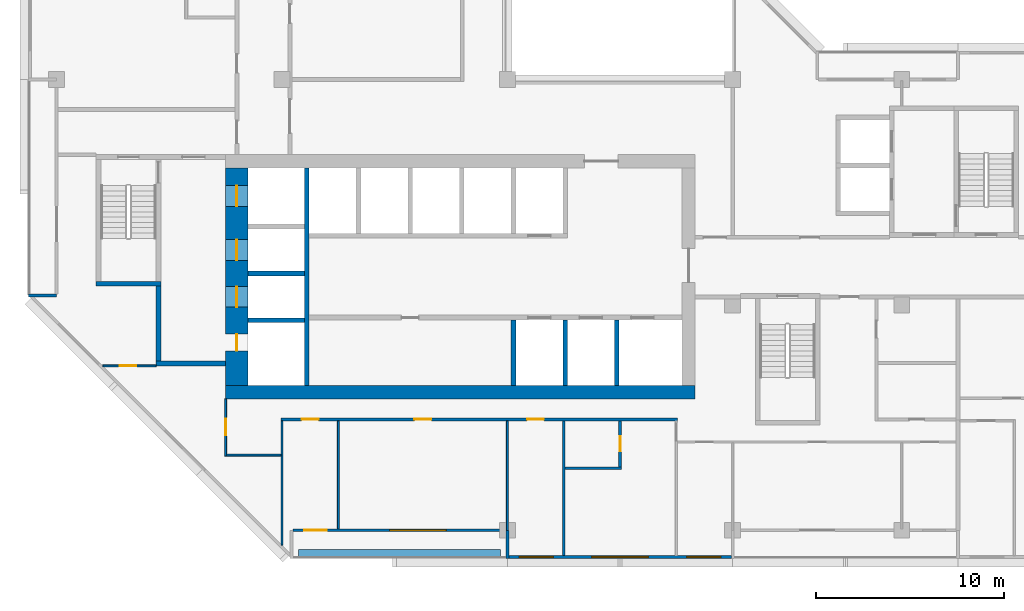
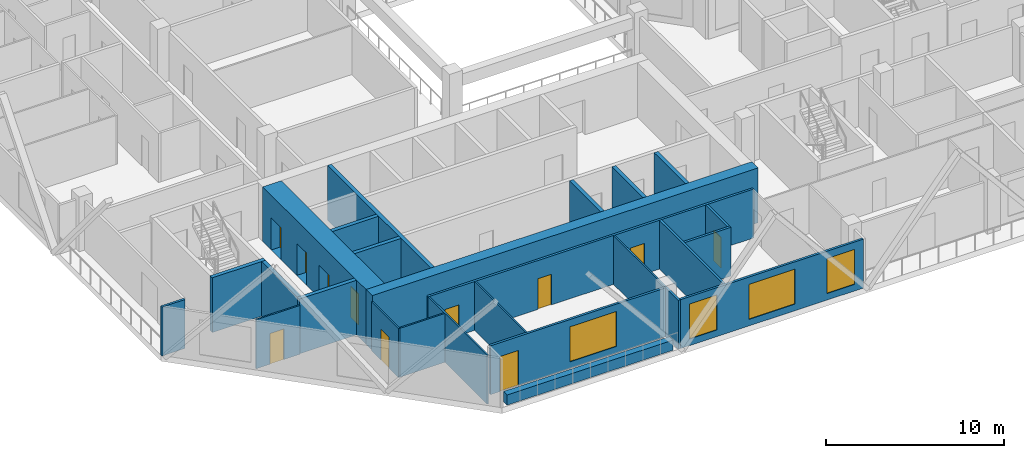
# One storey, part 4 of 15: 26 walls, 11 doors, 4 windows, 15 openings.
"""IFC4 building model written with IfcOpenShell, lengths in metres."""

import ifcopenshell
import ifcopenshell.guid

model = None  # the IFC model being written
_history = None  # IfcOwnerHistory: only IFC2X3 demands one
_inside = {}  # id of a spatial element -> (the spatial element, [elements in it])
_under = {}  # id of a project, library or spatial element -> (it, [spatial elements below it])
_declared = {}  # id of a project -> (the project, [libraries it declares])
_typed = {}  # id of a type object -> (the type object, [elements of that type])
_made_of = {}  # id of a material, layer set ... -> (it, [elements and type objects made of it])


def new_model(schema):
    """Start an empty IFC model of exactly this schema.

    Asked for "IFC4X3", IfcOpenShell would pick the latest addendum, in which some entities
    have other attributes; the version numbers below select the first issue.
    IFC2X3 requires an IfcOwnerHistory on every rooted entity: one is made here for all.
    """
    global model, _history
    if schema == "IFC4X3":
        model = ifcopenshell.file(schema_version=(4, 3, 0, 0))
    else:
        model = ifcopenshell.file(schema=schema)
    _inside.clear()
    _under.clear()
    _declared.clear()
    _typed.clear()
    _made_of.clear()
    _history = None
    if model.schema == "IFC2X3":
        org = make("IfcOrganization", Name="unknown")
        user = make(
            "IfcPersonAndOrganization",
            ThePerson=make("IfcPerson", FamilyName="unknown"),
            TheOrganization=org,
        )
        app = make(
            "IfcApplication",
            ApplicationDeveloper=org,
            Version="unknown",
            ApplicationFullName="unknown",
            ApplicationIdentifier="unknown",
        )
        _history = make(
            "IfcOwnerHistory",
            OwningUser=user,
            OwningApplication=app,
            ChangeAction="ADDED",
            CreationDate=0,
        )
    return model


def make(cls, **values):
    """One entity of the class cls with the attributes given. An attribute that is None is left unset."""
    return model.create_entity(
        cls, **{name: value for name, value in values.items() if value is not None}
    )


def rooted(cls, **values):
    """An entity with a GlobalId (a new one), such as an element, a storey or a relation."""
    return make(cls, GlobalId=ifcopenshell.guid.new(), OwnerHistory=_history, **values)


def si_unit(unit_type, name, prefix=None):
    """IfcSIUnit, for example si_unit("LENGTHUNIT", "METRE", prefix="MILLI")."""
    return make("IfcSIUnit", UnitType=unit_type, Prefix=prefix, Name=name)


def assignment(units):
    """IfcUnitAssignment: the units of a project."""
    return None if units is None else make("IfcUnitAssignment", Units=units)


def point(xyz):
    """IfcCartesianPoint."""
    return None if xyz is None else make("IfcCartesianPoint", Coordinates=xyz)


def direction(xyz):
    """IfcDirection."""
    return None if xyz is None else make("IfcDirection", DirectionRatios=xyz)


def frame(location, z_axis=None, x_axis=None):
    """IfcAxis2Placement3D, a coordinate frame: its origin and axes. An axis left out is left unset."""
    return make(
        "IfcAxis2Placement3D",
        Location=point(location),
        Axis=direction(z_axis),
        RefDirection=direction(x_axis),
    )


def frame_2d(location, x_axis=None):
    """IfcAxis2Placement2D, a coordinate frame in the plane: its origin and x axis."""
    return make(
        "IfcAxis2Placement2D", Location=point(location), RefDirection=direction(x_axis)
    )


def origin():
    """The frame at (0, 0, 0) with its axes left unset."""
    return frame((0.0, 0.0, 0.0))


def place(relative_to, where):
    """IfcLocalPlacement: puts the frame where relative to a parent placement (None: the world)."""
    return make(
        "IfcLocalPlacement", PlacementRelTo=relative_to, RelativePlacement=where
    )


def context(
    kind, dimensions, precision=None, world=None, true_north=None, identifier=None
):
    """IfcGeometricRepresentationContext, for example the 3D "Model" context."""
    return make(
        "IfcGeometricRepresentationContext",
        ContextIdentifier=identifier,
        ContextType=kind,
        CoordinateSpaceDimension=dimensions,
        Precision=precision,
        WorldCoordinateSystem=world,
        TrueNorth=true_north,
    )


def subcontext(parent, identifier, kind, view, scale=None):
    """IfcGeometricRepresentationSubContext, for example "Body" below "Model"."""
    return make(
        "IfcGeometricRepresentationSubContext",
        ContextIdentifier=identifier,
        ContextType=kind,
        ParentContext=parent,
        TargetScale=scale,
        TargetView=view,
    )


def project(units=None, contexts=None):
    """IfcProject with its units and contexts."""
    return rooted(
        "IfcProject",
        Name="project",
        RepresentationContexts=contexts,
        UnitsInContext=assignment(units),
    )


def spatial(cls, under=None, at=None, **own):
    """A site, building, storey or space (cls), placed at a placement, below another one or the project."""
    s = rooted(cls, ObjectPlacement=at, **own)
    if under is not None:
        _under.setdefault(under.id(), (under, []))[1].append(s)
    return s


def profile(cls, at=None, kind="AREA", **sizes):
    """A parametric profile (cls). Its sizes go by their IFC names, for example OverallWidth=200.0."""
    return make(cls, ProfileType=kind, Position=at, **sizes)


def rectangle(**sizes):
    """IfcRectangleProfileDef."""
    return profile("IfcRectangleProfileDef", **sizes)


def extrude(swept, where, along, depth):
    """IfcExtrudedAreaSolid: the profile swept, set in the frame where, extruded along a direction by depth."""
    return make(
        "IfcExtrudedAreaSolid",
        SweptArea=swept,
        Position=where,
        ExtrudedDirection=direction(along),
        Depth=depth,
    )


def shape(context_of_items, identifier, shape_type, items):
    """IfcShapeRepresentation: the items that make up one representation, for example the "Body"."""
    return make(
        "IfcShapeRepresentation",
        ContextOfItems=context_of_items,
        RepresentationIdentifier=identifier,
        RepresentationType=shape_type,
        Items=items,
    )


def material(Name=None, Category=None):
    """IfcMaterial."""
    return make("IfcMaterial", Name=Name, Category=Category)


def layer(
    of_material, thickness, ventilated=None, Name=None, Category=None, Priority=None
):
    """IfcMaterialLayer: one layer of a wall or slab, of a material (None: an air gap)."""
    return make(
        "IfcMaterialLayer",
        Material=of_material,
        LayerThickness=thickness,
        IsVentilated=ventilated,
        Name=Name,
        Category=Category,
        Priority=Priority,
    )


def layer_set(layers, Name=None):
    """IfcMaterialLayerSet."""
    return make("IfcMaterialLayerSet", MaterialLayers=layers, LayerSetName=Name)


def made_of(thing, what):
    """Note that an element or type object is made of a material, layer set ...; save() writes the relation."""
    if what is not None:
        _made_of.setdefault(what.id(), (what, []))[1].append(thing)
    return thing


def type_object(cls, material=None, **own):
    """A type object (cls), such as IfcWallType, which elements share."""
    return made_of(rooted(cls, **own), material)


def element(
    cls,
    number,
    at=None,
    inside=None,
    cuts=None,
    type_object=None,
    material=None,
    context=None,
    identifier="Body",
    shape_type=None,
    held_by="IfcProductDefinitionShape",
    body=None,
    shapes=None,
    **own,
):
    """One element of the class cls, such as IfcWall. Its Tag is "e" and its number.

    at: its placement. inside: the storey or other place that contains it. cuts: it is an
    opening in that element (IfcRelVoidsElement). A single representation is given by context,
    identifier, shape_type and body (its items); several are given by shapes. held_by: the class
    of the entity that holds the representations. save() writes the other relations.
    """
    e = rooted(cls, Tag="e%d" % number, ObjectPlacement=at, **own)
    if body is not None:
        shapes = [shape(context, identifier, shape_type, body)]
    if shapes is not None:
        e.Representation = make(held_by, Representations=shapes)
    if inside is not None:
        _inside.setdefault(inside.id(), (inside, []))[1].append(e)
    if cuts is not None:
        rooted(
            "IfcRelVoidsElement", RelatingBuildingElement=cuts, RelatedOpeningElement=e
        )
    if type_object is not None:
        _typed.setdefault(type_object.id(), (type_object, []))[1].append(e)
    return made_of(e, material)


def fill(opening, filler):
    """IfcRelFillsElement: the door or window that sits in an opening."""
    return rooted(
        "IfcRelFillsElement",
        RelatingOpeningElement=opening,
        RelatedBuildingElement=filler,
    )


def aggregate(whole, parts):
    """IfcRelAggregates: a whole, such as a stair, and the parts it consists of."""
    return rooted("IfcRelAggregates", RelatingObject=whole, RelatedObjects=parts)


def save(model, path):
    """Write the relations noted so far, then the file.

    IfcRelAggregates (storeys below a building ...), IfcRelContainedInSpatialStructure (elements
    in a storey), IfcRelDefinesByType, IfcRelAssociatesMaterial and IfcRelDeclares: one each for
    every whole, place, type object, material and project.
    """
    for whole, parts in _under.values():
        aggregate(whole, parts)
    for where, things in _inside.values():
        rooted(
            "IfcRelContainedInSpatialStructure",
            RelatedElements=things,
            RelatingStructure=where,
        )
    for kind, things in _typed.values():
        rooted("IfcRelDefinesByType", RelatedObjects=things, RelatingType=kind)
    for what, things in _made_of.values():
        rooted("IfcRelAssociatesMaterial", RelatedObjects=things, RelatingMaterial=what)
    for by, libraries in _declared.values():
        rooted("IfcRelDeclares", RelatingContext=by, RelatedDefinitions=libraries)
    model.write(path)


model = new_model("IFC4")

# Units and contexts
model_context = context("Model", 3, precision=1e-05, world=origin(), true_north=direction((0.0, 1.0)))
body_context = subcontext(model_context, "Body", "Model", "MODEL_VIEW")
ifc_project = project(units=[si_unit("LENGTHUNIT", "METRE"), si_unit("AREAUNIT", "SQUARE_METRE"), si_unit("VOLUMEUNIT", "CUBIC_METRE"), si_unit("PLANEANGLEUNIT", "RADIAN"), si_unit("MASSUNIT", "GRAM", prefix="KILO")], contexts=[model_context])

# Site, building, storey
site_placement = place(None, origin())
site = spatial("IfcSite", under=ifc_project, at=site_placement, CompositionType="ELEMENT")
building_placement = place(site_placement, origin())
building = spatial("IfcBuilding", under=site, at=building_placement, Name="Chenar Terraces", CompositionType="ELEMENT")
storey_placement = place(building_placement, frame((0.0, 0.0, 211.64990234375)))
storey = spatial("IfcBuildingStorey", under=building, at=storey_placement, Name="L49", CompositionType="ELEMENT", Elevation=211.64990234375)

# Wall, openings, doors
ifc_material_1 = material(Name="Concrete C60/75", Category="concrete")
ifc_layer_1 = layer(ifc_material_1, 1.199951171875)
ifc_layer_set_1 = layer_set([ifc_layer_1], Name="Concrete C60/75")
wall_type_1 = type_object("IfcWallType", Name="Core wall 1200 Concrete C60/75", PredefinedType="SHEAR", material=ifc_layer_set_1)
wall_1_placement = place(storey_placement, frame((9.60009765625, 7.699951171875, 0.0), z_axis=(0.0, 0.0, 1.0), x_axis=(0.0, 1.0, 0.0)))
wall_1 = element("IfcWall", 1, at=wall_1_placement, inside=storey, type_object=wall_type_1, Name="Core wall W L49", PredefinedType="SHEAR", context=body_context, shape_type="SweptSolid", body=[
    extrude(rectangle(XDim=11.60009765625, YDim=1.199951171875, at=frame_2d((5.800048828125, 0.0))), origin(), (0.0, 0.0, 1.0), 3.75),
])
opening_1_placement = place(wall_1_placement, frame((4.175048828125, 0.0, 0.0)))
opening_1 = element("IfcOpeningElement", 2, at=opening_1_placement, cuts=wall_1, Name="Opening DL49-LD5", PredefinedType="OPENING", context=body_context, shape_type="SweptSolid", body=[
    extrude(rectangle(XDim=1.10009765625, YDim=2.199951171875, at=frame_2d((0.550048828125, 1.10009765625))), frame((0.0, 0.60986328125, 0.0), z_axis=(0.0, -1.0, 0.0), x_axis=(1.0, 0.0, 0.0)), (0.0, 0.0, 1.0), 1.219970703125),
])
opening_2_placement = place(wall_1_placement, frame((6.675048828125, 0.0, 0.0)))
opening_2 = element("IfcOpeningElement", 3, at=opening_2_placement, cuts=wall_1, Name="Opening DL49-LD6", PredefinedType="OPENING", context=body_context, shape_type="SweptSolid", body=[
    extrude(rectangle(XDim=1.10009765625, YDim=2.199951171875, at=frame_2d((0.550048828125, 1.10009765625))), frame((0.0, 0.60986328125, 0.0), z_axis=(0.0, -1.0, 0.0), x_axis=(1.0, 0.0, 0.0)), (0.0, 0.0, 1.0), 1.219970703125),
])
opening_3_placement = place(wall_1_placement, frame((9.550048828125, 0.0, 0.0)))
opening_3 = element("IfcOpeningElement", 4, at=opening_3_placement, cuts=wall_1, Name="Opening DL49-LD7", PredefinedType="OPENING", context=body_context, shape_type="SweptSolid", body=[
    extrude(rectangle(XDim=1.10009765625, YDim=2.199951171875, at=frame_2d((0.550048828125, 1.10009765625))), frame((0.0, 0.60986328125, 0.0), z_axis=(0.0, -1.0, 0.0), x_axis=(1.0, 0.0, 0.0)), (0.0, 0.0, 1.0), 1.219970703125),
])
opening_4_placement = place(wall_1_placement, frame((1.85009765625, 0.0, 0.0)))
opening_4 = element("IfcOpeningElement", 5, at=opening_4_placement, cuts=wall_1, Name="Opening DL49-C4", PredefinedType="OPENING", context=body_context, shape_type="SweptSolid", body=[
    extrude(rectangle(XDim=0.89990234375, YDim=2.10009765625, at=frame_2d((0.449951171875, 1.050048828125))), frame((0.0, 0.60986328125, 0.0), z_axis=(0.0, -1.0, 0.0), x_axis=(1.0, 0.0, 0.0)), (0.0, 0.0, 1.0), 1.219970703125),
])
ifc_material_2 = material(Name="Stainless steel", Category="steel")
door_type_1 = type_object("IfcDoorType", Name="Lift landing door 1100 x 2200 sliding", OperationType="DOUBLE_DOOR_SLIDING", PredefinedType="DOOR", material=ifc_material_2)
door_1_placement = place(opening_1_placement, origin())
door_1 = element("IfcDoor", 6, at=door_1_placement, inside=storey, type_object=door_type_1, Name="Landing door S1", OperationType="DOUBLE_DOOR_SLIDING", OverallHeight=2.199951171875, OverallWidth=1.10009765625, PredefinedType="DOOR", context=body_context, shape_type="SweptSolid", body=[
    extrude(rectangle(XDim=1.10009765625, YDim=2.199951171875, at=frame_2d((0.550048828125, 1.10009765625))), frame((0.0, 0.02490234375, 0.0), z_axis=(0.0, -1.0, 0.0), x_axis=(1.0, 0.0, 0.0)), (0.0, 0.0, 1.0), 0.050048828125),
])
fill(opening_1, door_1)
door_2_placement = place(opening_2_placement, origin())
door_2 = element("IfcDoor", 7, at=door_2_placement, inside=storey, type_object=door_type_1, Name="Landing door F1", OperationType="DOUBLE_DOOR_SLIDING", OverallHeight=2.199951171875, OverallWidth=1.10009765625, PredefinedType="DOOR", context=body_context, shape_type="SweptSolid", body=[
    extrude(rectangle(XDim=1.10009765625, YDim=2.199951171875, at=frame_2d((0.550048828125, 1.10009765625))), frame((0.0, 0.02490234375, 0.0), z_axis=(0.0, -1.0, 0.0), x_axis=(1.0, 0.0, 0.0)), (0.0, 0.0, 1.0), 0.050048828125),
])
fill(opening_2, door_2)
door_3_placement = place(opening_3_placement, origin())
door_3 = element("IfcDoor", 8, at=door_3_placement, inside=storey, type_object=door_type_1, Name="Landing door F2", OperationType="DOUBLE_DOOR_SLIDING", OverallHeight=2.199951171875, OverallWidth=1.10009765625, PredefinedType="DOOR", context=body_context, shape_type="SweptSolid", body=[
    extrude(rectangle(XDim=1.10009765625, YDim=2.199951171875, at=frame_2d((0.550048828125, 1.10009765625))), frame((0.0, 0.02490234375, 0.0), z_axis=(0.0, -1.0, 0.0), x_axis=(1.0, 0.0, 0.0)), (0.0, 0.0, 1.0), 0.050048828125),
])
fill(opening_3, door_3)
ifc_material_3 = material(Name="Steel-framed fire-resisting door leaf", Category="steel")
door_type_2 = type_object("IfcDoorType", Name="Riser fire door FD60 900 x 2100", OperationType="SINGLE_SWING_LEFT", PredefinedType="DOOR", material=ifc_material_3)
door_4_placement = place(opening_4_placement, frame((0.89990234375, 0.0, 0.0), z_axis=(0.0, 0.0, 1.0), x_axis=(-1.0, 0.0, 0.0)))
door_4 = element("IfcDoor", 9, at=door_4_placement, inside=storey, type_object=door_type_2, Name="Riser door DL49-C4", OperationType="SINGLE_SWING_LEFT", OverallHeight=2.10009765625, OverallWidth=0.89990234375, PredefinedType="DOOR", context=body_context, shape_type="SweptSolid", body=[
    extrude(rectangle(XDim=0.89990234375, YDim=2.10009765625, at=frame_2d((0.449951171875, 1.050048828125))), frame((0.0, 0.02490234375, 0.0), z_axis=(0.0, -1.0, 0.0), x_axis=(1.0, 0.0, 0.0)), (0.0, 0.0, 1.0), 0.050048828125),
])
fill(opening_4, door_4)

# Walls
ifc_material_4 = material(Name="Concrete C60/75", Category="concrete")
ifc_layer_2 = layer(ifc_material_4, 0.25)
ifc_layer_set_2 = layer_set([ifc_layer_2], Name="Concrete C60/75")
wall_type_2 = type_object("IfcWallType", Name="Core wall 250 Concrete C60/75", PredefinedType="SHEAR", material=ifc_layer_set_2)
wall_2_placement = place(storey_placement, frame((13.324951171875, 7.699951171875, 0.0), z_axis=(0.0, 0.0, 1.0), x_axis=(0.0, 1.0, 0.0)))
element("IfcWall", 10, at=wall_2_placement, inside=storey, type_object=wall_type_2, Name="Core wall WI L49", PredefinedType="SHEAR", context=body_context, shape_type="SweptSolid", body=[
    extrude(rectangle(XDim=11.60009765625, YDim=0.25, at=frame_2d((5.800048828125, 0.0))), origin(), (0.0, 0.0, 1.0), 3.75),
])
for number, where, z_axis, x_axis, name in (
    (11, (10.199951171875, 11.175048828125, 0.0), (0.0, 0.0, 1.0), (1.0, 0.0, 0.0), "Core wall HW0 L49"),
    (12, (10.199951171875, 13.675048828125, 0.0), (0.0, 0.0, 1.0), (1.0, 0.0, 0.0), "Core wall HW1 L49"),
):
    element("IfcWall", number, at=place(storey_placement, frame(where, z_axis=z_axis, x_axis=x_axis)), inside=storey, type_object=wall_type_2, Name=name, PredefinedType="SHEAR", context=body_context, shape_type="SweptSolid", body=[
        extrude(rectangle(XDim=3.0, YDim=0.25, at=frame_2d((1.5, 0.0))), origin(), (0.0, 0.0, 1.0), 3.75),
    ])
for number, where, z_axis, x_axis, name in (
    (13, (24.324951171875, 7.699951171875, 0.0), (0.0, 0.0, 1.0), (0.0, 1.0, 0.0), "Core wall SS3 L49"),
    (14, (27.074951171875, 7.699951171875, 0.0), (0.0, 0.0, 1.0), (0.0, 1.0, 0.0), "Core wall SS4 L49"),
    (15, (29.824951171875, 7.699951171875, 0.0), (0.0, 0.0, 1.0), (0.0, 1.0, 0.0), "Core wall SS5 L49"),
):
    element("IfcWall", number, at=place(storey_placement, frame(where, z_axis=z_axis, x_axis=x_axis)), inside=storey, type_object=wall_type_2, Name=name, PredefinedType="SHEAR", context=body_context, shape_type="SweptSolid", body=[
        extrude(rectangle(XDim=3.5, YDim=0.25, at=frame_2d((1.75, 0.0))), origin(), (0.0, 0.0, 1.0), 3.75),
    ])
wall_3_placement = place(storey_placement, frame((2.10009765625, 13.125, 0.0), z_axis=(0.0, 0.0, 1.0), x_axis=(1.0, 0.0, 0.0)))
element("IfcWall", 16, at=wall_3_placement, inside=storey, type_object=wall_type_2, Name="Core wall ST1_S L49", PredefinedType="SHEAR", context=body_context, shape_type="SweptSolid", body=[
    extrude(rectangle(XDim=3.449951171875, YDim=0.25, at=frame_2d((1.72509765625, 0.0))), origin(), (0.0, 0.0, 1.0), 3.75),
])
wall_4_placement = place(storey_placement, frame((5.300048828125, 8.875, 0.0), z_axis=(0.0, 0.0, 1.0), x_axis=(1.0, 0.0, 0.0)))
element("IfcWall", 17, at=wall_4_placement, inside=storey, type_object=wall_type_2, Name="Core wall FFL_S L49", PredefinedType="SHEAR", context=body_context, shape_type="SweptSolid", body=[
    extrude(rectangle(XDim=3.699951171875, YDim=0.25, at=frame_2d((1.85009765625, 0.0))), origin(), (0.0, 0.0, 1.0), 3.75),
])
wall_5_placement = place(storey_placement, frame((5.425048828125, 9.0, 0.0), z_axis=(0.0, 0.0, 1.0), x_axis=(0.0, 1.0, 0.0)))
element("IfcWall", 18, at=wall_5_placement, inside=storey, type_object=wall_type_2, Name="Core wall FFL_W L49", PredefinedType="SHEAR", context=body_context, shape_type="SweptSolid", body=[
    extrude(rectangle(XDim=4.0, YDim=0.25, at=frame_2d((2.0, 0.0))), origin(), (0.0, 0.0, 1.0), 3.75),
])
ifc_material_5 = material(Name="Concrete C60/75", Category="concrete")
ifc_layer_3 = layer(ifc_material_5, 0.699951171875)
ifc_layer_set_3 = layer_set([ifc_layer_3], Name="Concrete C60/75")
wall_type_3 = type_object("IfcWallType", Name="Core wall 700 Concrete C60/75", PredefinedType="SHEAR", material=ifc_layer_set_3)
wall_6_placement = place(storey_placement, frame((9.0, 7.35009765625, 0.0), z_axis=(0.0, 0.0, 1.0), x_axis=(1.0, 0.0, 0.0)))
element("IfcWall", 19, at=wall_6_placement, inside=storey, type_object=wall_type_3, Name="Core wall S L49", PredefinedType="SHEAR", context=body_context, shape_type="SweptSolid", body=[
    extrude(rectangle(XDim=25.0, YDim=0.699951171875, at=frame_2d((12.5, 0.0))), origin(), (0.0, 0.0, 1.0), 3.75),
])

# Wall, openings, windows
ifc_material_6 = material(Name="Aluminium framed glazing", Category="aluminium")
ifc_layer_4 = layer(ifc_material_6, 0.14990234375)
ifc_layer_set_4 = layer_set([ifc_layer_4], Name="Aluminium framed glazing")
wall_type_4 = type_object("IfcWallType", Name="Glazed flush facade wall 150", PredefinedType="SOLIDWALL", material=ifc_layer_set_4)
wall_7_placement = place(storey_placement, frame((24.074951171875, -1.425048828125, 0.0), z_axis=(0.0, 0.0, 1.0), x_axis=(1.0, 0.0, 0.0)))
wall_7 = element("IfcWall", 20, at=wall_7_placement, inside=storey, type_object=wall_type_4, Name="Glazed flush facade wall", PredefinedType="SOLIDWALL", context=body_context, shape_type="SweptSolid", body=[
    extrude(rectangle(XDim=11.85009765625, YDim=0.14990234375, at=frame_2d((5.925048828125, 0.0))), origin(), (0.0, 0.0, 1.0), 3.35009765625),
])
opening_5_placement = place(wall_7_placement, frame((0.5625, 0.0, 0.449951171875)))
opening_5 = element("IfcOpeningElement", 21, at=opening_5_placement, cuts=wall_7, Name="Opening W180x240", PredefinedType="OPENING", context=body_context, shape_type="SweptSolid", body=[
    extrude(rectangle(XDim=1.800048828125, YDim=2.39990234375, at=frame_2d((0.89990234375, 1.199951171875))), frame((0.0, 0.0849609375, 0.0), z_axis=(0.0, -1.0, 0.0), x_axis=(1.0, 0.0, 0.0)), (0.0, 0.0, 1.0), 0.169921875),
])
opening_6_placement = place(wall_7_placement, frame((4.425048828125, 0.0, 0.449951171875)))
opening_6 = element("IfcOpeningElement", 22, at=opening_6_placement, cuts=wall_7, Name="Opening W300x240", PredefinedType="OPENING", context=body_context, shape_type="SweptSolid", body=[
    extrude(rectangle(XDim=3.0, YDim=2.39990234375, at=frame_2d((1.5, 1.199951171875))), frame((0.0, 0.0849609375, 0.0), z_axis=(0.0, -1.0, 0.0), x_axis=(1.0, 0.0, 0.0)), (0.0, 0.0, 1.0), 0.169921875),
])
opening_7_placement = place(wall_7_placement, frame((9.487548828125, 0.0, 0.449951171875)))
opening_7 = element("IfcOpeningElement", 23, at=opening_7_placement, cuts=wall_7, Name="Opening W180x240", PredefinedType="OPENING", context=body_context, shape_type="SweptSolid", body=[
    extrude(rectangle(XDim=1.800048828125, YDim=2.39990234375, at=frame_2d((0.89990234375, 1.199951171875))), frame((0.0, 0.0849609375, 0.0), z_axis=(0.0, -1.0, 0.0), x_axis=(1.0, 0.0, 0.0)), (0.0, 0.0, 1.0), 0.169921875),
])
ifc_material_7 = material(Name="Low emissivity double glazing, aluminium frame", Category="aluminium")
window_type_1 = type_object("IfcWindowType", Name="Fixed light 1800 x 2400", PartitioningType="SINGLE_PANEL", PredefinedType="WINDOW", material=ifc_material_7)
window_1_placement = place(opening_5_placement, origin())
window_1 = element("IfcWindow", 24, at=window_1_placement, inside=storey, type_object=window_type_1, Name="Window", OverallHeight=2.39990234375, OverallWidth=1.800048828125, PartitioningType="SINGLE_PANEL", PredefinedType="WINDOW", context=body_context, shape_type="SweptSolid", body=[
    extrude(rectangle(XDim=1.800048828125, YDim=2.39990234375, at=frame_2d((0.89990234375, 1.199951171875))), frame((0.0, 0.030029296875, 0.0), z_axis=(0.0, -1.0, 0.0), x_axis=(1.0, 0.0, 0.0)), (0.0, 0.0, 1.0), 0.06005859375),
])
fill(opening_5, window_1)
window_2_placement = place(opening_7_placement, origin())
window_2 = element("IfcWindow", 25, at=window_2_placement, inside=storey, type_object=window_type_1, Name="Window", OverallHeight=2.39990234375, OverallWidth=1.800048828125, PartitioningType="SINGLE_PANEL", PredefinedType="WINDOW", context=body_context, shape_type="SweptSolid", body=[
    extrude(rectangle(XDim=1.800048828125, YDim=2.39990234375, at=frame_2d((0.89990234375, 1.199951171875))), frame((0.0, 0.030029296875, 0.0), z_axis=(0.0, -1.0, 0.0), x_axis=(1.0, 0.0, 0.0)), (0.0, 0.0, 1.0), 0.06005859375),
])
fill(opening_7, window_2)
ifc_material_8 = material(Name="Low emissivity double glazing, aluminium frame", Category="aluminium")
window_type_2 = type_object("IfcWindowType", Name="Fixed light 3000 x 2400", PartitioningType="SINGLE_PANEL", PredefinedType="WINDOW", material=ifc_material_8)
window_3_placement = place(opening_6_placement, origin())
window_3 = element("IfcWindow", 26, at=window_3_placement, inside=storey, type_object=window_type_2, Name="Window", OverallHeight=2.39990234375, OverallWidth=3.0, PartitioningType="SINGLE_PANEL", PredefinedType="WINDOW", context=body_context, shape_type="SweptSolid", body=[
    extrude(rectangle(XDim=3.0, YDim=2.39990234375, at=frame_2d((1.5, 1.199951171875))), frame((0.0, 0.030029296875, 0.0), z_axis=(0.0, -1.0, 0.0), x_axis=(1.0, 0.0, 0.0)), (0.0, 0.0, 1.0), 0.06005859375),
])
fill(opening_6, window_3)

# Wall, openings, window, door
ifc_material_9 = material(Name="Aluminium framed glazing", Category="aluminium")
ifc_layer_5 = layer(ifc_material_9, 0.14990234375)
ifc_layer_set_5 = layer_set([ifc_layer_5], Name="Aluminium framed glazing")
wall_type_5 = type_object("IfcWallType", Name="Glazed loggia back wall 150", PredefinedType="SOLIDWALL", material=ifc_layer_set_5)
wall_8_placement = place(storey_placement, frame((12.574951171875, 0.0, 0.0), z_axis=(0.0, 0.0, 1.0), x_axis=(1.0, 0.0, 0.0)))
wall_8 = element("IfcWall", 27, at=wall_8_placement, inside=storey, type_object=wall_type_5, Name="Glazed loggia back wall", PredefinedType="SOLIDWALL", context=body_context, shape_type="SweptSolid", body=[
    extrude(rectangle(XDim=11.35009765625, YDim=0.14990234375, at=frame_2d((5.675048828125, 0.0))), origin(), (0.0, 0.0, 1.0), 3.35009765625),
])
opening_8_placement = place(wall_8_placement, frame((0.612548828125, 0.0, 0.0)))
opening_8 = element("IfcOpeningElement", 28, at=opening_8_placement, cuts=wall_8, Name="Opening DL49-G5", PredefinedType="OPENING", context=body_context, shape_type="SweptSolid", body=[
    extrude(rectangle(XDim=1.199951171875, YDim=2.39990234375, at=frame_2d((0.60009765625, 1.199951171875))), frame((0.0, 0.0849609375, 0.0), z_axis=(0.0, -1.0, 0.0), x_axis=(1.0, 0.0, 0.0)), (0.0, 0.0, 1.0), 0.169921875),
])
opening_9_placement = place(wall_8_placement, frame((5.16259765625, 0.0, 0.449951171875)))
opening_9 = element("IfcOpeningElement", 29, at=opening_9_placement, cuts=wall_8, Name="Opening W300x240", PredefinedType="OPENING", context=body_context, shape_type="SweptSolid", body=[
    extrude(rectangle(XDim=3.0, YDim=2.39990234375, at=frame_2d((1.5, 1.199951171875))), frame((0.0, 0.0849609375, 0.0), z_axis=(0.0, -1.0, 0.0), x_axis=(1.0, 0.0, 0.0)), (0.0, 0.0, 1.0), 0.169921875),
])
window_4_placement = place(opening_9_placement, origin())
window_4 = element("IfcWindow", 30, at=window_4_placement, inside=storey, type_object=window_type_2, Name="Window", OverallHeight=2.39990234375, OverallWidth=3.0, PartitioningType="SINGLE_PANEL", PredefinedType="WINDOW", context=body_context, shape_type="SweptSolid", body=[
    extrude(rectangle(XDim=3.0, YDim=2.39990234375, at=frame_2d((1.5, 1.199951171875))), frame((0.0, 0.030029296875, 0.0), z_axis=(0.0, -1.0, 0.0), x_axis=(1.0, 0.0, 0.0)), (0.0, 0.0, 1.0), 0.06005859375),
])
fill(opening_9, window_4)
ifc_material_10 = material(Name="Low emissivity double glazing, aluminium frame", Category="aluminium")
door_type_3 = type_object("IfcDoorType", Name="Loggia glazed double door 1200 x 2400", OperationType="DOUBLE_DOOR_SINGLE_SWING", PredefinedType="DOOR", material=ifc_material_10)
door_5_placement = place(opening_8_placement, frame((1.199951171875, 0.0, 0.0), z_axis=(0.0, 0.0, 1.0), x_axis=(-1.0, 0.0, 0.0)))
door_5 = element("IfcDoor", 31, at=door_5_placement, inside=storey, type_object=door_type_3, Name="Loggia glazed door", OperationType="DOUBLE_DOOR_SINGLE_SWING", OverallHeight=2.39990234375, OverallWidth=1.199951171875, PredefinedType="DOOR", context=body_context, shape_type="SweptSolid", body=[
    extrude(rectangle(XDim=1.199951171875, YDim=2.39990234375, at=frame_2d((0.60009765625, 1.199951171875))), frame((0.0, 0.02490234375, 0.0), z_axis=(0.0, -1.0, 0.0), x_axis=(1.0, 0.0, 0.0)), (0.0, 0.0, 1.0), 0.050048828125),
])
fill(opening_8, door_5)

# Wall, opening, door
ifc_material_11 = material(Name="Gypsum board on steel studs", Category="steel")
ifc_layer_6 = layer(ifc_material_11, 0.10009765625)
ifc_layer_set_6 = layer_set([ifc_layer_6], Name="Gypsum board on steel studs")
wall_type_6 = type_object("IfcWallType", Name="Gypsum partition 100", PredefinedType="PARTITIONING", material=ifc_layer_set_6)
wall_9_placement = place(storey_placement, frame((2.4609375, 8.75, 0.0), z_axis=(0.0, 0.0, 1.0), x_axis=(1.0, 0.0, 0.0)))
wall_9 = element("IfcWall", 32, at=wall_9_placement, inside=storey, type_object=wall_type_6, Name="Partition L49-012", PredefinedType="PARTITIONING", context=body_context, shape_type="SweptSolid", body=[
    extrude(rectangle(XDim=2.839111328125, YDim=0.10009765625, at=frame_2d((1.41943359375, 0.0))), origin(), (0.0, 0.0, 1.0), 3.35009765625),
])
opening_10_placement = place(wall_9_placement, frame((0.888916015625, 0.0, 0.0)))
opening_10 = element("IfcOpeningElement", 33, at=opening_10_placement, cuts=wall_9, Name="Opening DL49-50", PredefinedType="OPENING", context=body_context, shape_type="SweptSolid", body=[
    extrude(rectangle(XDim=0.89990234375, YDim=2.10009765625, at=frame_2d((0.449951171875, 1.050048828125))), frame((0.0, 0.06005859375, 0.0), z_axis=(0.0, -1.0, 0.0), x_axis=(1.0, 0.0, 0.0)), (0.0, 0.0, 1.0), 0.1201171875),
])
ifc_material_12 = material(Name="Veneered timber door leaf", Category="wood")
door_type_4 = type_object("IfcDoorType", Name="Door 900 x 2100", OperationType="SINGLE_SWING_LEFT", PredefinedType="DOOR", material=ifc_material_12)
door_6_placement = place(opening_10_placement, frame((0.89990234375, 0.0, 0.0), z_axis=(0.0, 0.0, 1.0), x_axis=(-1.0, 0.0, 0.0)))
door_6 = element("IfcDoor", 34, at=door_6_placement, inside=storey, type_object=door_type_4, Name="Door DL49-50", OperationType="SINGLE_SWING_RIGHT", OverallHeight=2.10009765625, OverallWidth=0.89990234375, PredefinedType="DOOR", context=body_context, shape_type="SweptSolid", body=[
    extrude(rectangle(XDim=0.89990234375, YDim=2.10009765625, at=frame_2d((0.449951171875, 1.050048828125))), frame((0.0, 0.02490234375, 0.0), z_axis=(0.0, -1.0, 0.0), x_axis=(1.0, 0.0, 0.0)), (0.0, 0.0, 1.0), 0.050048828125),
])
fill(opening_10, door_6)

wall_10_placement = place(storey_placement, frame((9.0, 3.949951171875, 0.0), z_axis=(0.0, 0.0, 1.0), x_axis=(0.0, 1.0, 0.0)))
wall_10 = element("IfcWall", 35, at=wall_10_placement, inside=storey, type_object=wall_type_6, Name="Partition L49-028", PredefinedType="PARTITIONING", context=body_context, shape_type="SweptSolid", body=[
    extrude(rectangle(XDim=3.050048828125, YDim=0.10009765625, at=frame_2d((1.52490234375, 0.0))), origin(), (0.0, 0.0, 1.0), 3.35009765625),
])
opening_11_placement = place(wall_10_placement, frame((1.10009765625, 0.0, 0.0)))
opening_11 = element("IfcOpeningElement", 36, at=opening_11_placement, cuts=wall_10, Name="Opening DL49-49", PredefinedType="OPENING", context=body_context, shape_type="SweptSolid", body=[
    extrude(rectangle(XDim=0.89990234375, YDim=2.10009765625, at=frame_2d((0.449951171875, 1.050048828125))), frame((0.0, 0.06005859375, 0.0), z_axis=(0.0, -1.0, 0.0), x_axis=(1.0, 0.0, 0.0)), (0.0, 0.0, 1.0), 0.1201171875),
])
door_7_placement = place(opening_11_placement, origin())
door_7 = element("IfcDoor", 37, at=door_7_placement, inside=storey, type_object=door_type_4, Name="Door DL49-49", OperationType="SINGLE_SWING_LEFT", OverallHeight=2.10009765625, OverallWidth=0.89990234375, PredefinedType="DOOR", context=body_context, shape_type="SweptSolid", body=[
    extrude(rectangle(XDim=0.89990234375, YDim=2.10009765625, at=frame_2d((0.449951171875, 1.050048828125))), frame((0.0, 0.02490234375, 0.0), z_axis=(0.0, -1.0, 0.0), x_axis=(1.0, 0.0, 0.0)), (0.0, 0.0, 1.0), 0.050048828125),
])
fill(opening_11, door_7)

# Walls
wall_11_placement = place(storey_placement, frame((9.050048828125, 4.0, 0.0), z_axis=(0.0, 0.0, 1.0), x_axis=(1.0, 0.0, 0.0)))
element("IfcWall", 38, at=wall_11_placement, inside=storey, type_object=wall_type_6, Name="Partition L49-029", PredefinedType="PARTITIONING", context=body_context, shape_type="SweptSolid", body=[
    extrude(rectangle(XDim=2.89990234375, YDim=0.10009765625, at=frame_2d((1.449951171875, 0.0))), origin(), (0.0, 0.0, 1.0), 3.35009765625),
])
wall_12_placement = place(storey_placement, frame((12.0, -0.787841796875, 0.0), z_axis=(0.0, 0.0, 1.0), x_axis=(0.0, 1.0, 0.0)))
element("IfcWall", 39, at=wall_12_placement, inside=storey, type_object=wall_type_6, Name="Partition L49-032", PredefinedType="PARTITIONING", context=body_context, shape_type="SweptSolid", body=[
    extrude(rectangle(XDim=6.61279296875, YDim=0.10009765625, at=frame_2d((3.306396484375, 0.0))), origin(), (0.0, 0.0, 1.0), 3.35009765625),
])
wall_13_placement = place(storey_placement, frame((15.0, 0.073974609375, 0.0), z_axis=(0.0, 0.0, 1.0), x_axis=(0.0, 1.0, 0.0)))
element("IfcWall", 40, at=wall_13_placement, inside=storey, type_object=wall_type_6, Name="Partition L49-043", PredefinedType="PARTITIONING", context=body_context, shape_type="SweptSolid", body=[
    extrude(rectangle(XDim=5.7509765625, YDim=0.10009765625, at=frame_2d((2.87548828125, 0.0))), origin(), (0.0, 0.0, 1.0), 3.35009765625),
])
wall_14_placement = place(storey_placement, frame((24.0, 0.0, 0.0), z_axis=(0.0, 0.0, 1.0), x_axis=(0.0, 1.0, 0.0)))
element("IfcWall", 41, at=wall_14_placement, inside=storey, type_object=wall_type_6, Name="Partition L49-053", PredefinedType="PARTITIONING", context=body_context, shape_type="SweptSolid", body=[
    extrude(rectangle(XDim=5.824951171875, YDim=0.10009765625, at=frame_2d((2.91259765625, 0.0))), origin(), (0.0, 0.0, 1.0), 3.35009765625),
])
ifc_material_13 = material(Name="Terracotta cladding on insulated backing", Category="masonry")
ifc_layer_7 = layer(ifc_material_13, 0.14990234375)
ifc_layer_set_7 = layer_set([ifc_layer_7], Name="Terracotta cladding on insulated backing")
wall_type_7 = type_object("IfcWallType", Name="Loggia return wall 150", PredefinedType="SOLIDWALL", material=ifc_layer_set_7)
for number, where, z_axis, x_axis, name in (
    (42, (-1.5, 12.5, 0.0), (0.0, 0.0, 1.0), (1.0, 0.0, 0.0), "Loggia return wall"),
    (43, (24.0, -1.5, 0.0), (0.0, 0.0, 1.0), (0.0, 1.0, 0.0), "Loggia return wall"),
):
    element("IfcWall", number, at=place(storey_placement, frame(where, z_axis=z_axis, x_axis=x_axis)), inside=storey, type_object=wall_type_7, Name=name, PredefinedType="SOLIDWALL", context=body_context, shape_type="SweptSolid", body=[
        extrude(rectangle(XDim=1.5, YDim=0.14990234375, at=frame_2d((0.75, 0.0))), origin(), (0.0, 0.0, 1.0), 3.35009765625),
    ])
ifc_material_14 = material(Name="GRP planter trough")
ifc_layer_8 = layer(ifc_material_14, 0.39990234375)
ifc_layer_set_8 = layer_set([ifc_layer_8], Name="GRP planter trough")
wall_type_8 = type_object("IfcWallType", Name="Vertical greenery planter 400", PredefinedType="SOLIDWALL", material=ifc_layer_set_8)
wall_15_placement = place(storey_placement, frame((12.875, -1.22900390625, 0.0), z_axis=(0.0, 0.0, 1.0), x_axis=(1.0, 0.0, 0.0)))
element("IfcWall", 44, at=wall_15_placement, inside=storey, type_object=wall_type_8, Name="Vertical greenery planter", PredefinedType="SOLIDWALL", context=body_context, shape_type="SweptSolid", body=[
    extrude(rectangle(XDim=10.75, YDim=0.39990234375, at=frame_2d((5.375, 0.0))), origin(), (0.0, 0.0, 1.0), 0.7001953125),
])

# Wall, openings, doors
ifc_material_15 = material(Name="Moisture-resistant gypsum board on steel studs", Category="steel")
ifc_layer_9 = layer(ifc_material_15, 0.14990234375)
ifc_layer_set_9 = layer_set([ifc_layer_9], Name="Moisture-resistant gypsum board on steel studs")
wall_type_9 = type_object("IfcWallType", Name="Wet-room partition 150", PredefinedType="PARTITIONING", material=ifc_layer_set_9)
wall_16_placement = place(storey_placement, frame((11.949951171875, 5.89990234375, 0.0), z_axis=(0.0, 0.0, 1.0), x_axis=(1.0, 0.0, 0.0)))
wall_16 = element("IfcWall", 45, at=wall_16_placement, inside=storey, type_object=wall_type_9, Name="Partition L49-031", PredefinedType="PARTITIONING", context=body_context, shape_type="SweptSolid", body=[
    extrude(rectangle(XDim=21.10009765625, YDim=0.14990234375, at=frame_2d((10.550048828125, 0.0))), origin(), (0.0, 0.0, 1.0), 3.35009765625),
])
opening_12_placement = place(wall_16_placement, frame((1.10009765625, 0.0, 0.0)))
opening_12 = element("IfcOpeningElement", 46, at=opening_12_placement, cuts=wall_16, Name="Opening DL49-45", PredefinedType="OPENING", context=body_context, shape_type="SweptSolid", body=[
    extrude(rectangle(XDim=0.89990234375, YDim=2.10009765625, at=frame_2d((0.449951171875, 1.050048828125))), frame((0.0, 0.0849609375, 0.0), z_axis=(0.0, -1.0, 0.0), x_axis=(1.0, 0.0, 0.0)), (0.0, 0.0, 1.0), 0.169921875),
])
opening_13_placement = place(wall_16_placement, frame((13.10009765625, 0.0, 0.0)))
opening_13 = element("IfcOpeningElement", 47, at=opening_13_placement, cuts=wall_16, Name="Opening DL49-46", PredefinedType="OPENING", context=body_context, shape_type="SweptSolid", body=[
    extrude(rectangle(XDim=0.89990234375, YDim=2.10009765625, at=frame_2d((0.449951171875, 1.050048828125))), frame((0.0, 0.0849609375, 0.0), z_axis=(0.0, -1.0, 0.0), x_axis=(1.0, 0.0, 0.0)), (0.0, 0.0, 1.0), 0.169921875),
])
opening_14_placement = place(wall_16_placement, frame((7.10009765625, 0.0, 0.0)))
opening_14 = element("IfcOpeningElement", 48, at=opening_14_placement, cuts=wall_16, Name="Opening DL49-55", PredefinedType="OPENING", context=body_context, shape_type="SweptSolid", body=[
    extrude(rectangle(XDim=0.89990234375, YDim=2.10009765625, at=frame_2d((0.449951171875, 1.050048828125))), frame((0.0, 0.0849609375, 0.0), z_axis=(0.0, -1.0, 0.0), x_axis=(1.0, 0.0, 0.0)), (0.0, 0.0, 1.0), 0.169921875),
])
door_8_placement = place(opening_12_placement, frame((0.89990234375, 0.0, 0.0), z_axis=(0.0, 0.0, 1.0), x_axis=(-1.0, 0.0, 0.0)))
door_8 = element("IfcDoor", 49, at=door_8_placement, inside=storey, type_object=door_type_4, Name="Door DL49-45", OperationType="SINGLE_SWING_RIGHT", OverallHeight=2.10009765625, OverallWidth=0.89990234375, PredefinedType="DOOR", context=body_context, shape_type="SweptSolid", body=[
    extrude(rectangle(XDim=0.89990234375, YDim=2.10009765625, at=frame_2d((0.449951171875, 1.050048828125))), frame((0.0, 0.02490234375, 0.0), z_axis=(0.0, -1.0, 0.0), x_axis=(1.0, 0.0, 0.0)), (0.0, 0.0, 1.0), 0.050048828125),
])
fill(opening_12, door_8)
door_9_placement = place(opening_13_placement, frame((0.89990234375, 0.0, 0.0), z_axis=(0.0, 0.0, 1.0), x_axis=(-1.0, 0.0, 0.0)))
door_9 = element("IfcDoor", 50, at=door_9_placement, inside=storey, type_object=door_type_4, Name="Door DL49-46", OperationType="SINGLE_SWING_RIGHT", OverallHeight=2.10009765625, OverallWidth=0.89990234375, PredefinedType="DOOR", context=body_context, shape_type="SweptSolid", body=[
    extrude(rectangle(XDim=0.89990234375, YDim=2.10009765625, at=frame_2d((0.449951171875, 1.050048828125))), frame((0.0, 0.02490234375, 0.0), z_axis=(0.0, -1.0, 0.0), x_axis=(1.0, 0.0, 0.0)), (0.0, 0.0, 1.0), 0.050048828125),
])
fill(opening_13, door_9)
door_10_placement = place(opening_14_placement, frame((0.89990234375, 0.0, 0.0), z_axis=(0.0, 0.0, 1.0), x_axis=(-1.0, 0.0, 0.0)))
door_10 = element("IfcDoor", 51, at=door_10_placement, inside=storey, type_object=door_type_4, Name="Door DL49-55", OperationType="SINGLE_SWING_RIGHT", OverallHeight=2.10009765625, OverallWidth=0.89990234375, PredefinedType="DOOR", context=body_context, shape_type="SweptSolid", body=[
    extrude(rectangle(XDim=0.89990234375, YDim=2.10009765625, at=frame_2d((0.449951171875, 1.050048828125))), frame((0.0, 0.02490234375, 0.0), z_axis=(0.0, -1.0, 0.0), x_axis=(1.0, 0.0, 0.0)), (0.0, 0.0, 1.0), 0.050048828125),
])
fill(opening_14, door_10)

# Walls
wall_17_placement = place(storey_placement, frame((27.0, -1.35107421875, 0.0), z_axis=(0.0, 0.0, 1.0), x_axis=(0.0, 1.0, 0.0)))
element("IfcWall", 52, at=wall_17_placement, inside=storey, type_object=wall_type_9, Name="Partition L49-054", PredefinedType="PARTITIONING", context=body_context, shape_type="SweptSolid", body=[
    extrude(rectangle(XDim=7.176025390625, YDim=0.14990234375, at=frame_2d((3.587890625, 0.0))), origin(), (0.0, 0.0, 1.0), 3.35009765625),
])
wall_18_placement = place(storey_placement, frame((27.074951171875, 3.300048828125, 0.0), z_axis=(0.0, 0.0, 1.0), x_axis=(1.0, 0.0, 0.0)))
element("IfcWall", 53, at=wall_18_placement, inside=storey, type_object=wall_type_9, Name="Partition L49-055", PredefinedType="PARTITIONING", context=body_context, shape_type="SweptSolid", body=[
    extrude(rectangle(XDim=3.0, YDim=0.14990234375, at=frame_2d((1.5, 0.0))), origin(), (0.0, 0.0, 1.0), 3.35009765625),
])

# Wall, opening, door
wall_19_placement = place(storey_placement, frame((30.0, 3.375, 0.0), z_axis=(0.0, 0.0, 1.0), x_axis=(0.0, 1.0, 0.0)))
wall_19 = element("IfcWall", 54, at=wall_19_placement, inside=storey, type_object=wall_type_9, Name="Partition L49-056", PredefinedType="PARTITIONING", context=body_context, shape_type="SweptSolid", body=[
    extrude(rectangle(XDim=2.449951171875, YDim=0.14990234375, at=frame_2d((1.22509765625, 0.0))), origin(), (0.0, 0.0, 1.0), 3.35009765625),
])
opening_15_placement = place(wall_19_placement, frame((0.824951171875, 0.0, 0.0)))
opening_15 = element("IfcOpeningElement", 55, at=opening_15_placement, cuts=wall_19, Name="Opening DL49-52", PredefinedType="OPENING", context=body_context, shape_type="SweptSolid", body=[
    extrude(rectangle(XDim=0.800048828125, YDim=2.10009765625, at=frame_2d((0.39990234375, 1.050048828125))), frame((0.0, 0.0849609375, 0.0), z_axis=(0.0, -1.0, 0.0), x_axis=(1.0, 0.0, 0.0)), (0.0, 0.0, 1.0), 0.169921875),
])
ifc_material_16 = material(Name="Veneered timber door leaf", Category="wood")
door_type_5 = type_object("IfcDoorType", Name="Door 800 x 2100", OperationType="SINGLE_SWING_LEFT", PredefinedType="DOOR", material=ifc_material_16)
door_11_placement = place(opening_15_placement, origin())
door_11 = element("IfcDoor", 56, at=door_11_placement, inside=storey, type_object=door_type_5, Name="Door DL49-52", OperationType="SINGLE_SWING_RIGHT", OverallHeight=2.10009765625, OverallWidth=0.800048828125, PredefinedType="DOOR", context=body_context, shape_type="SweptSolid", body=[
    extrude(rectangle(XDim=0.800048828125, YDim=2.10009765625, at=frame_2d((0.39990234375, 1.050048828125))), frame((0.0, 0.02490234375, 0.0), z_axis=(0.0, -1.0, 0.0), x_axis=(1.0, 0.0, 0.0)), (0.0, 0.0, 1.0), 0.050048828125),
])
fill(opening_15, door_11)

save(model, "model.ifc")
